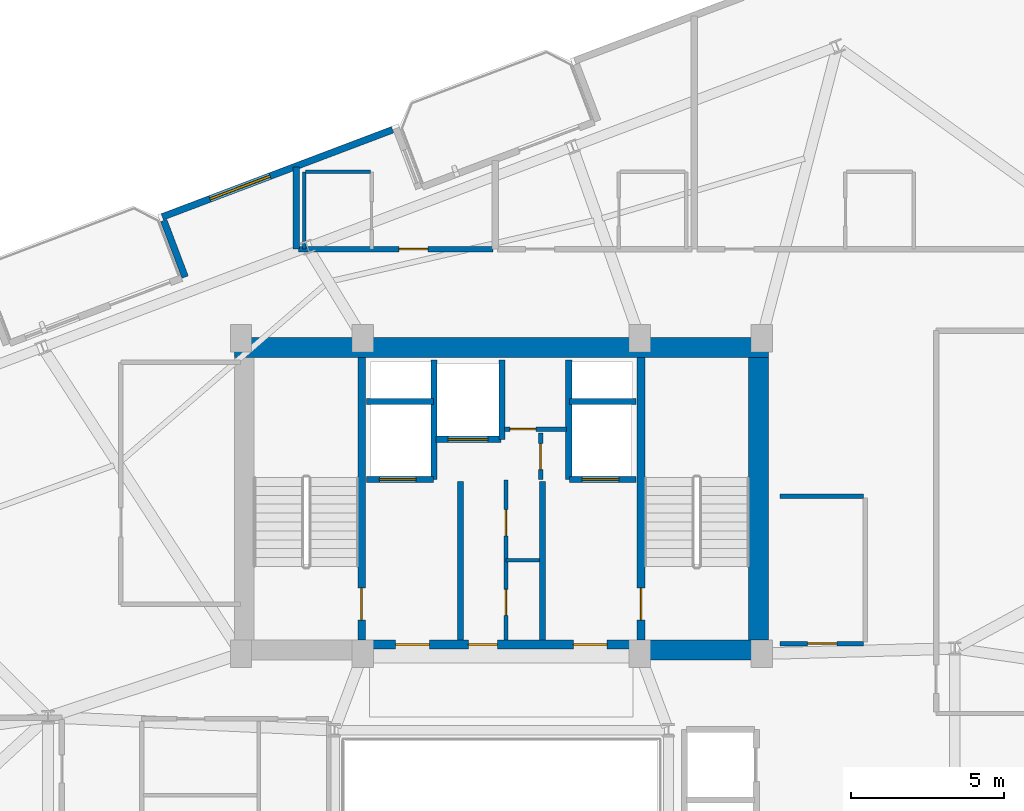
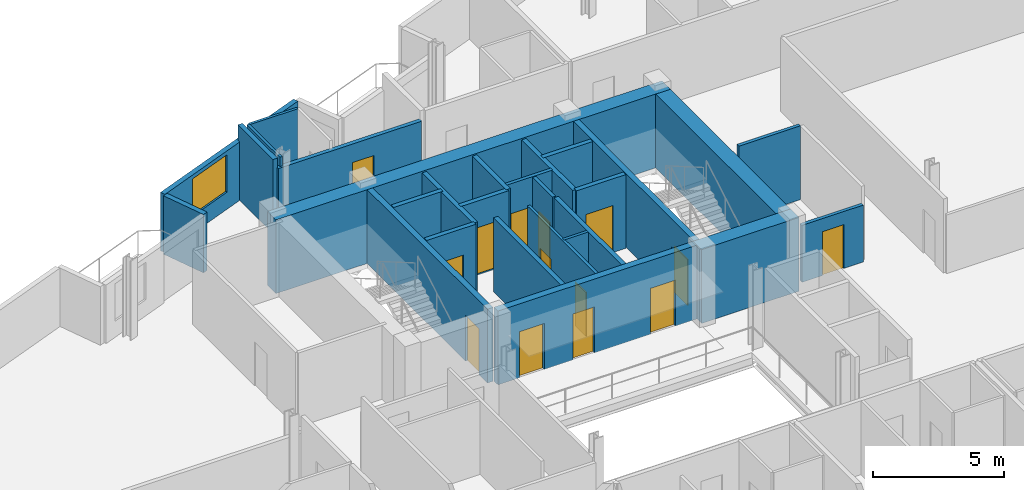
# One storey, part 20 of 24: 28 walls, 14 doors, 1 window, 15 openings.
"""IFC4 building model written with IfcOpenShell, lengths in metres."""

import ifcopenshell
import ifcopenshell.guid

model = None  # the IFC model being written
_history = None  # IfcOwnerHistory: only IFC2X3 demands one
_inside = {}  # id of a spatial element -> (the spatial element, [elements in it])
_under = {}  # id of a project, library or spatial element -> (it, [spatial elements below it])
_declared = {}  # id of a project -> (the project, [libraries it declares])
_typed = {}  # id of a type object -> (the type object, [elements of that type])
_made_of = {}  # id of a material, layer set ... -> (it, [elements and type objects made of it])


def new_model(schema):
    """Start an empty IFC model of exactly this schema.

    Asked for "IFC4X3", IfcOpenShell would pick the latest addendum, in which some entities
    have other attributes; the version numbers below select the first issue.
    IFC2X3 requires an IfcOwnerHistory on every rooted entity: one is made here for all.
    """
    global model, _history
    if schema == "IFC4X3":
        model = ifcopenshell.file(schema_version=(4, 3, 0, 0))
    else:
        model = ifcopenshell.file(schema=schema)
    _inside.clear()
    _under.clear()
    _declared.clear()
    _typed.clear()
    _made_of.clear()
    _history = None
    if model.schema == "IFC2X3":
        org = make("IfcOrganization", Name="unknown")
        user = make(
            "IfcPersonAndOrganization",
            ThePerson=make("IfcPerson", FamilyName="unknown"),
            TheOrganization=org,
        )
        app = make(
            "IfcApplication",
            ApplicationDeveloper=org,
            Version="unknown",
            ApplicationFullName="unknown",
            ApplicationIdentifier="unknown",
        )
        _history = make(
            "IfcOwnerHistory",
            OwningUser=user,
            OwningApplication=app,
            ChangeAction="ADDED",
            CreationDate=0,
        )
    return model


def make(cls, **values):
    """One entity of the class cls with the attributes given. An attribute that is None is left unset."""
    return model.create_entity(
        cls, **{name: value for name, value in values.items() if value is not None}
    )


def rooted(cls, **values):
    """An entity with a GlobalId (a new one), such as an element, a storey or a relation."""
    return make(cls, GlobalId=ifcopenshell.guid.new(), OwnerHistory=_history, **values)


def si_unit(unit_type, name, prefix=None):
    """IfcSIUnit, for example si_unit("LENGTHUNIT", "METRE", prefix="MILLI")."""
    return make("IfcSIUnit", UnitType=unit_type, Prefix=prefix, Name=name)


def assignment(units):
    """IfcUnitAssignment: the units of a project."""
    return None if units is None else make("IfcUnitAssignment", Units=units)


def point(xyz):
    """IfcCartesianPoint."""
    return None if xyz is None else make("IfcCartesianPoint", Coordinates=xyz)


def direction(xyz):
    """IfcDirection."""
    return None if xyz is None else make("IfcDirection", DirectionRatios=xyz)


def frame(location, z_axis=None, x_axis=None):
    """IfcAxis2Placement3D, a coordinate frame: its origin and axes. An axis left out is left unset."""
    return make(
        "IfcAxis2Placement3D",
        Location=point(location),
        Axis=direction(z_axis),
        RefDirection=direction(x_axis),
    )


def frame_2d(location, x_axis=None):
    """IfcAxis2Placement2D, a coordinate frame in the plane: its origin and x axis."""
    return make(
        "IfcAxis2Placement2D", Location=point(location), RefDirection=direction(x_axis)
    )


def origin():
    """The frame at (0, 0, 0) with its axes left unset."""
    return frame((0.0, 0.0, 0.0))


def place(relative_to, where):
    """IfcLocalPlacement: puts the frame where relative to a parent placement (None: the world)."""
    return make(
        "IfcLocalPlacement", PlacementRelTo=relative_to, RelativePlacement=where
    )


def context(
    kind, dimensions, precision=None, world=None, true_north=None, identifier=None
):
    """IfcGeometricRepresentationContext, for example the 3D "Model" context."""
    return make(
        "IfcGeometricRepresentationContext",
        ContextIdentifier=identifier,
        ContextType=kind,
        CoordinateSpaceDimension=dimensions,
        Precision=precision,
        WorldCoordinateSystem=world,
        TrueNorth=true_north,
    )


def subcontext(parent, identifier, kind, view, scale=None):
    """IfcGeometricRepresentationSubContext, for example "Body" below "Model"."""
    return make(
        "IfcGeometricRepresentationSubContext",
        ContextIdentifier=identifier,
        ContextType=kind,
        ParentContext=parent,
        TargetScale=scale,
        TargetView=view,
    )


def project(units=None, contexts=None):
    """IfcProject with its units and contexts."""
    return rooted(
        "IfcProject",
        Name="project",
        RepresentationContexts=contexts,
        UnitsInContext=assignment(units),
    )


def spatial(cls, under=None, at=None, **own):
    """A site, building, storey or space (cls), placed at a placement, below another one or the project."""
    s = rooted(cls, ObjectPlacement=at, **own)
    if under is not None:
        _under.setdefault(under.id(), (under, []))[1].append(s)
    return s


def profile(cls, at=None, kind="AREA", **sizes):
    """A parametric profile (cls). Its sizes go by their IFC names, for example OverallWidth=200.0."""
    return make(cls, ProfileType=kind, Position=at, **sizes)


def rectangle(**sizes):
    """IfcRectangleProfileDef."""
    return profile("IfcRectangleProfileDef", **sizes)


def extrude(swept, where, along, depth):
    """IfcExtrudedAreaSolid: the profile swept, set in the frame where, extruded along a direction by depth."""
    return make(
        "IfcExtrudedAreaSolid",
        SweptArea=swept,
        Position=where,
        ExtrudedDirection=direction(along),
        Depth=depth,
    )


def shape(context_of_items, identifier, shape_type, items):
    """IfcShapeRepresentation: the items that make up one representation, for example the "Body"."""
    return make(
        "IfcShapeRepresentation",
        ContextOfItems=context_of_items,
        RepresentationIdentifier=identifier,
        RepresentationType=shape_type,
        Items=items,
    )


def material(Name=None, Category=None):
    """IfcMaterial."""
    return make("IfcMaterial", Name=Name, Category=Category)


def layer(
    of_material, thickness, ventilated=None, Name=None, Category=None, Priority=None
):
    """IfcMaterialLayer: one layer of a wall or slab, of a material (None: an air gap)."""
    return make(
        "IfcMaterialLayer",
        Material=of_material,
        LayerThickness=thickness,
        IsVentilated=ventilated,
        Name=Name,
        Category=Category,
        Priority=Priority,
    )


def layer_set(layers, Name=None):
    """IfcMaterialLayerSet."""
    return make("IfcMaterialLayerSet", MaterialLayers=layers, LayerSetName=Name)


def made_of(thing, what):
    """Note that an element or type object is made of a material, layer set ...; save() writes the relation."""
    if what is not None:
        _made_of.setdefault(what.id(), (what, []))[1].append(thing)
    return thing


def type_object(cls, material=None, **own):
    """A type object (cls), such as IfcWallType, which elements share."""
    return made_of(rooted(cls, **own), material)


def element(
    cls,
    number,
    at=None,
    inside=None,
    cuts=None,
    type_object=None,
    material=None,
    context=None,
    identifier="Body",
    shape_type=None,
    held_by="IfcProductDefinitionShape",
    body=None,
    shapes=None,
    **own,
):
    """One element of the class cls, such as IfcWall. Its Tag is "e" and its number.

    at: its placement. inside: the storey or other place that contains it. cuts: it is an
    opening in that element (IfcRelVoidsElement). A single representation is given by context,
    identifier, shape_type and body (its items); several are given by shapes. held_by: the class
    of the entity that holds the representations. save() writes the other relations.
    """
    e = rooted(cls, Tag="e%d" % number, ObjectPlacement=at, **own)
    if body is not None:
        shapes = [shape(context, identifier, shape_type, body)]
    if shapes is not None:
        e.Representation = make(held_by, Representations=shapes)
    if inside is not None:
        _inside.setdefault(inside.id(), (inside, []))[1].append(e)
    if cuts is not None:
        rooted(
            "IfcRelVoidsElement", RelatingBuildingElement=cuts, RelatedOpeningElement=e
        )
    if type_object is not None:
        _typed.setdefault(type_object.id(), (type_object, []))[1].append(e)
    return made_of(e, material)


def fill(opening, filler):
    """IfcRelFillsElement: the door or window that sits in an opening."""
    return rooted(
        "IfcRelFillsElement",
        RelatingOpeningElement=opening,
        RelatedBuildingElement=filler,
    )


def aggregate(whole, parts):
    """IfcRelAggregates: a whole, such as a stair, and the parts it consists of."""
    return rooted("IfcRelAggregates", RelatingObject=whole, RelatedObjects=parts)


def save(model, path):
    """Write the relations noted so far, then the file.

    IfcRelAggregates (storeys below a building ...), IfcRelContainedInSpatialStructure (elements
    in a storey), IfcRelDefinesByType, IfcRelAssociatesMaterial and IfcRelDeclares: one each for
    every whole, place, type object, material and project.
    """
    for whole, parts in _under.values():
        aggregate(whole, parts)
    for where, things in _inside.values():
        rooted(
            "IfcRelContainedInSpatialStructure",
            RelatedElements=things,
            RelatingStructure=where,
        )
    for kind, things in _typed.values():
        rooted("IfcRelDefinesByType", RelatedObjects=things, RelatingType=kind)
    for what, things in _made_of.values():
        rooted("IfcRelAssociatesMaterial", RelatedObjects=things, RelatingMaterial=what)
    for by, libraries in _declared.values():
        rooted("IfcRelDeclares", RelatingContext=by, RelatedDefinitions=libraries)
    model.write(path)


model = new_model("IFC4")

# Units and contexts
model_context = context("Model", 3, precision=1e-05, world=origin(), true_north=direction((0.0, 1.0)))
body_context = subcontext(model_context, "Body", "Model", "MODEL_VIEW")
ifc_project = project(units=[si_unit("LENGTHUNIT", "METRE"), si_unit("AREAUNIT", "SQUARE_METRE"), si_unit("VOLUMEUNIT", "CUBIC_METRE"), si_unit("PLANEANGLEUNIT", "RADIAN"), si_unit("MASSUNIT", "GRAM", prefix="KILO")], contexts=[model_context])

# Site, building, storey
site_placement = place(None, origin())
site = spatial("IfcSite", under=ifc_project, at=site_placement, CompositionType="ELEMENT")
building_placement = place(site_placement, origin())
building = spatial("IfcBuilding", under=site, at=building_placement, Name="Varnelok Gate Tower", CompositionType="ELEMENT")
storey_placement = place(building_placement, frame((0.0, 0.0, 242.300048828125)))
storey = spatial("IfcBuildingStorey", under=building, at=storey_placement, Name="L62", CompositionType="ELEMENT", Elevation=242.300048828125)

# Wall, opening, window
ifc_material_1 = material(Name="Concrete C45/55", Category="concrete")
ifc_layer_1 = layer(ifc_material_1, 0.219970703125)
ifc_layer_set_1 = layer_set([ifc_layer_1], Name="Concrete C45/55")
wall_type_1 = type_object("IfcWallType", Name="EW-BALC-220", PredefinedType="SOLIDWALL", material=ifc_layer_set_1)
wall_1_placement = place(storey_placement, frame((35.647705078125, 45.853515625, 0.0), z_axis=(0.0, 0.0, 1.0), x_axis=(-0.935230796934, -0.354038636968, 0.0)))
wall_1 = element("IfcWall", 1, at=wall_1_placement, inside=storey, type_object=wall_type_1, Name="L62 Perimeter Facade Closure Wall 29", PredefinedType="SOLIDWALL", context=body_context, shape_type="SweptSolid", body=[
    extrude(rectangle(XDim=8.03515625, YDim=0.219970703125, at=frame_2d((4.017578125, 0.0))), origin(), (0.0, 0.0, 1.0), 2.72998046875),
])
opening_1_placement = place(wall_1_placement, frame((4.273193359375, 0.0, 0.800048828125)))
opening_1 = element("IfcOpeningElement", 2, at=opening_1_placement, cuts=wall_1, Name="Opening WN4", PredefinedType="OPENING", context=body_context, shape_type="SweptSolid", body=[
    extrude(rectangle(XDim=2.10009765625, YDim=1.75, at=frame_2d((1.050048828125, 0.875))), frame((0.0, 0.119873046875, 0.0), z_axis=(0.0, -1.0, 0.0), x_axis=(1.0, 0.0, 0.0)), (0.0, 0.0, 1.0), 0.239990234375),
])
ifc_material_2 = material(Name="Low-E Laminated Double Glazing IGU", Category="glass")
window_type = type_object("IfcWindowType", Name="WN-SUI-2100", PartitioningType="SINGLE_PANEL", PredefinedType="WINDOW", material=ifc_material_2)
window_placement = place(opening_1_placement, origin())
window = element("IfcWindow", 3, at=window_placement, inside=storey, type_object=window_type, Name="L62 Perimeter Vision Window 29", OverallHeight=1.75, OverallWidth=2.10009765625, PartitioningType="SINGLE_PANEL", PredefinedType="WINDOW", context=body_context, shape_type="SweptSolid", body=[
    extrude(rectangle(XDim=2.10009765625, YDim=1.75, at=frame_2d((1.050048828125, 0.875))), frame((0.0, 0.030029296875, 0.0), z_axis=(0.0, -1.0, 0.0), x_axis=(1.0, 0.0, 0.0)), (0.0, 0.0, 1.0), 0.06005859375),
])
fill(opening_1, window)

# Wall
wall_2_placement = place(storey_placement, frame((28.177490234375, 42.891845703125, 0.0), z_axis=(0.0, 0.0, 1.0), x_axis=(0.354061611705, -0.935222099352, 0.0)))
element("IfcWall", 4, at=wall_2_placement, inside=storey, type_object=wall_type_1, Name="L62 Perimeter Facade Closure Wall 30", PredefinedType="SOLIDWALL", context=body_context, shape_type="SweptSolid", body=[
    extrude(rectangle(XDim=1.974853515625, YDim=0.219970703125, at=frame_2d((0.9873046875, 0.0))), origin(), (0.0, 0.0, 1.0), 2.72998046875),
])

# Wall, opening, door
ifc_material_3 = material(Name="Gypsum Plasterboard Acoustic Partition", Category="gypsum")
ifc_layer_2 = layer(ifc_material_3, 0.179931640625)
ifc_layer_set_2 = layer_set([ifc_layer_2], Name="Gypsum Plasterboard Acoustic Partition")
wall_type_2 = type_object("IfcWallType", Name="PW-CORR-180", PredefinedType="PARTITIONING", material=ifc_layer_set_2)
wall_3_placement = place(storey_placement, frame((32.580078125, 41.9599609375, 0.0), z_axis=(0.0, 0.0, 1.0), x_axis=(1.0, 0.0, 0.0)))
wall_3 = element("IfcWall", 5, at=wall_3_placement, inside=storey, type_object=wall_type_2, Name="Interior Partition", PredefinedType="PARTITIONING", context=body_context, shape_type="SweptSolid", body=[
    extrude(rectangle(XDim=6.33984375, YDim=0.179931640625, at=frame_2d((3.169921875, 0.0))), origin(), (0.0, 0.0, 1.0), 3.01806640625),
])
opening_2_placement = place(wall_3_placement, frame((3.273681640625, 0.0, 0.0)))
opening_2 = element("IfcOpeningElement", 6, at=opening_2_placement, cuts=wall_3, Name="Opening D-HT", PredefinedType="OPENING", context=body_context, shape_type="SweptSolid", body=[
    extrude(rectangle(XDim=0.949951171875, YDim=2.14990234375, at=frame_2d((0.47509765625, 1.074951171875))), frame((0.0, 0.099853515625, 0.0), z_axis=(0.0, -1.0, 0.0), x_axis=(1.0, 0.0, 0.0)), (0.0, 0.0, 1.0), 0.199951171875),
])
ifc_material_4 = material(Name="Engineered Hardwood Timber", Category="wood")
door_type_1 = type_object("IfcDoorType", Name="DR-HTL-950", OperationType="NOTDEFINED", PredefinedType="DOOR", material=ifc_material_4)
door_1_placement = place(opening_2_placement, origin())
door_1 = element("IfcDoor", 7, at=door_1_placement, inside=storey, type_object=door_type_1, Name="L62 Guest Room 08 Entrance Door", OperationType="SINGLE_SWING_LEFT", OverallHeight=2.14990234375, OverallWidth=0.949951171875, PredefinedType="DOOR", context=body_context, shape_type="SweptSolid", body=[
    extrude(rectangle(XDim=0.949951171875, YDim=2.14990234375, at=frame_2d((0.47509765625, 1.074951171875))), frame((0.0, 0.02490234375, 0.0), z_axis=(0.0, -1.0, 0.0), x_axis=(1.0, 0.0, 0.0)), (0.0, 0.0, 1.0), 0.050048828125),
])
fill(opening_2, door_1)

# Walls
ifc_layer_3 = layer(ifc_material_3, 0.114990234375)
ifc_layer_set_3 = layer_set([ifc_layer_3], Name="Gypsum Plasterboard Acoustic Partition")
wall_type_3 = type_object("IfcWallType", Name="PW-ENS-125", PredefinedType="PARTITIONING", material=ifc_layer_set_3)
wall_4_placement = place(storey_placement, frame((32.800048828125, 44.47998046875, 0.0), z_axis=(0.0, 0.0, 1.0), x_axis=(1.0, 0.0, 0.0)))
element("IfcWall", 8, at=wall_4_placement, inside=storey, type_object=wall_type_3, Name="Interior Partition", PredefinedType="PARTITIONING", context=body_context, shape_type="SweptSolid", body=[
    extrude(rectangle(XDim=2.1240234375, YDim=0.114990234375, at=frame_2d((1.06201171875, 0.0))), origin(), (0.0, 0.0, 1.0), 3.449951171875),
])
wall_5_placement = place(storey_placement, frame((32.760009765625, 41.9599609375, 0.0), z_axis=(0.0, 0.0, 1.0), x_axis=(0.0, 1.0, 0.0)))
element("IfcWall", 9, at=wall_5_placement, inside=storey, type_object=wall_type_3, Name="Interior Partition", PredefinedType="PARTITIONING", context=body_context, shape_type="SweptSolid", body=[
    extrude(rectangle(XDim=2.52001953125, YDim=0.114990234375, at=frame_2d((1.260009765625, 0.0))), origin(), (0.0, 0.0, 1.0), 3.449951171875),
])
ifc_layer_4 = layer(ifc_material_3, 0.125)
ifc_layer_set_4 = layer_set([ifc_layer_4], Name="Gypsum Plasterboard Acoustic Partition")
wall_type_4 = type_object("IfcWallType", Name="PW-PART-125", PredefinedType="PARTITIONING", material=ifc_layer_set_4)
wall_6_placement = place(storey_placement, frame((39.35009765625, 31.800048828125, 0.0), z_axis=(0.0, 0.0, 1.0), x_axis=(1.0, 0.0, 0.0)))
element("IfcWall", 10, at=wall_6_placement, inside=storey, type_object=wall_type_4, Name="Interior Partition", PredefinedType="PARTITIONING", context=body_context, shape_type="SweptSolid", body=[
    extrude(rectangle(XDim=1.08984375, YDim=0.125, at=frame_2d((0.544921875, 0.0))), origin(), (0.0, 0.0, 1.0), 3.449951171875),
])

# Wall, openings, doors
wall_7_placement = place(storey_placement, frame((39.35009765625, 29.199951171875, 0.0), z_axis=(0.0, 0.0, 1.0), x_axis=(0.0, 1.0, 0.0)))
wall_7 = element("IfcWall", 11, at=wall_7_placement, inside=storey, type_object=wall_type_4, Name="Interior Partition", PredefinedType="PARTITIONING", context=body_context, shape_type="SweptSolid", body=[
    extrude(rectangle(XDim=5.219970703125, YDim=0.125, at=frame_2d((2.60986328125, 0.0))), origin(), (0.0, 0.0, 1.0), 3.449951171875),
])
opening_3_placement = place(wall_7_placement, frame((0.800048828125, 0.0, 0.0)))
opening_3 = element("IfcOpeningElement", 12, at=opening_3_placement, cuts=wall_7, Name="Opening D-RS", PredefinedType="OPENING", context=body_context, shape_type="SweptSolid", body=[
    extrude(rectangle(XDim=0.85009765625, YDim=2.050048828125, at=frame_2d((0.425048828125, 1.02490234375))), frame((0.0, 0.072509765625, 0.0), z_axis=(0.0, -1.0, 0.0), x_axis=(1.0, 0.0, 0.0)), (0.0, 0.0, 1.0), 0.14501953125),
])
opening_4_placement = place(wall_7_placement, frame((3.39990234375, 0.0, 0.0)))
opening_4 = element("IfcOpeningElement", 13, at=opening_4_placement, cuts=wall_7, Name="Opening D-RS", PredefinedType="OPENING", context=body_context, shape_type="SweptSolid", body=[
    extrude(rectangle(XDim=0.85009765625, YDim=2.050048828125, at=frame_2d((0.425048828125, 1.02490234375))), frame((0.0, 0.072509765625, 0.0), z_axis=(0.0, -1.0, 0.0), x_axis=(1.0, 0.0, 0.0)), (0.0, 0.0, 1.0), 0.14501953125),
])
ifc_material_5 = material(Name="Galvanized Steel Grade S350GD", Category="steel")
door_type_2 = type_object("IfcDoorType", Name="DR-RISER-850", OperationType="NOTDEFINED", PredefinedType="DOOR", material=ifc_material_5)
door_2_placement = place(opening_3_placement, origin())
door_2 = element("IfcDoor", 14, at=door_2_placement, inside=storey, type_object=door_type_2, Name="L62 Housekeeping Linen Door", OperationType="SINGLE_SWING_RIGHT", OverallHeight=2.050048828125, OverallWidth=0.85009765625, PredefinedType="DOOR", context=body_context, shape_type="SweptSolid", body=[
    extrude(rectangle(XDim=0.85009765625, YDim=2.050048828125, at=frame_2d((0.425048828125, 1.02490234375))), frame((0.0, 0.02490234375, 0.0), z_axis=(0.0, -1.0, 0.0), x_axis=(1.0, 0.0, 0.0)), (0.0, 0.0, 1.0), 0.050048828125),
])
fill(opening_3, door_2)
door_3_placement = place(opening_4_placement, origin())
door_3 = element("IfcDoor", 15, at=door_3_placement, inside=storey, type_object=door_type_2, Name="L62 Core Supply Door", OperationType="SINGLE_SWING_LEFT", OverallHeight=2.050048828125, OverallWidth=0.85009765625, PredefinedType="DOOR", context=body_context, shape_type="SweptSolid", body=[
    extrude(rectangle(XDim=0.85009765625, YDim=2.050048828125, at=frame_2d((0.425048828125, 1.02490234375))), frame((0.0, 0.02490234375, 0.0), z_axis=(0.0, -1.0, 0.0), x_axis=(1.0, 0.0, 0.0)), (0.0, 0.0, 1.0), 0.050048828125),
])
fill(opening_4, door_3)

# Wall, opening, door
ifc_layer_5 = layer(ifc_material_3, 0.14990234375)
ifc_layer_set_5 = layer_set([ifc_layer_5], Name="Gypsum Plasterboard Acoustic Partition")
wall_type_5 = type_object("IfcWallType", Name="PW-PART-150", PredefinedType="PARTITIONING", material=ifc_layer_set_5)
wall_8_placement = place(storey_placement, frame((39.300048828125, 36.080078125, 0.0), z_axis=(0.0, 0.0, 1.0), x_axis=(1.0, 0.0, 0.0)))
wall_8 = element("IfcWall", 16, at=wall_8_placement, inside=storey, type_object=wall_type_5, Name="L62 Electrical Closet South Wall", PredefinedType="PARTITIONING", context=body_context, shape_type="SweptSolid", body=[
    extrude(rectangle(XDim=2.02001953125, YDim=0.14990234375, at=frame_2d((1.010009765625, 0.0))), origin(), (0.0, 0.0, 1.0), 3.449951171875),
])
opening_5_placement = place(wall_8_placement, frame((0.179931640625, 0.0, 0.0)))
opening_5 = element("IfcOpeningElement", 17, at=opening_5_placement, cuts=wall_8, Name="Opening D-RS", PredefinedType="OPENING", context=body_context, shape_type="SweptSolid", body=[
    extrude(rectangle(XDim=0.85009765625, YDim=2.050048828125, at=frame_2d((0.425048828125, 1.02490234375))), frame((0.0, 0.0849609375, 0.0), z_axis=(0.0, -1.0, 0.0), x_axis=(1.0, 0.0, 0.0)), (0.0, 0.0, 1.0), 0.169921875),
])
door_4_placement = place(opening_5_placement, origin())
door_4 = element("IfcDoor", 18, at=door_4_placement, inside=storey, type_object=door_type_2, Name="L62 Electrical Closet Door", OperationType="SINGLE_SWING_RIGHT", OverallHeight=2.050048828125, OverallWidth=0.85009765625, PredefinedType="DOOR", context=body_context, shape_type="SweptSolid", body=[
    extrude(rectangle(XDim=0.85009765625, YDim=2.050048828125, at=frame_2d((0.425048828125, 1.02490234375))), frame((0.0, 0.02490234375, 0.0), z_axis=(0.0, -1.0, 0.0), x_axis=(1.0, 0.0, 0.0)), (0.0, 0.0, 1.0), 0.050048828125),
])
fill(opening_5, door_4)

wall_9_placement = place(storey_placement, frame((40.47998046875, 34.43994140625, 0.0), z_axis=(0.0, 0.0, 1.0), x_axis=(0.0, 1.0, 0.0)))
wall_9 = element("IfcWall", 19, at=wall_9_placement, inside=storey, type_object=wall_type_5, Name="L62 Telecoms Closet West Wall", PredefinedType="PARTITIONING", context=body_context, shape_type="SweptSolid", body=[
    extrude(rectangle(XDim=1.52001953125, YDim=0.14990234375, at=frame_2d((0.760009765625, 0.0))), origin(), (0.0, 0.0, 1.0), 3.449951171875),
])
opening_6_placement = place(wall_9_placement, frame((0.320068359375, 0.0, 0.0)))
opening_6 = element("IfcOpeningElement", 20, at=opening_6_placement, cuts=wall_9, Name="Opening D-RS", PredefinedType="OPENING", context=body_context, shape_type="SweptSolid", body=[
    extrude(rectangle(XDim=0.85009765625, YDim=2.050048828125, at=frame_2d((0.425048828125, 1.02490234375))), frame((0.0, 0.0849609375, 0.0), z_axis=(0.0, -1.0, 0.0), x_axis=(1.0, 0.0, 0.0)), (0.0, 0.0, 1.0), 0.169921875),
])
door_5_placement = place(opening_6_placement, origin())
door_5 = element("IfcDoor", 21, at=door_5_placement, inside=storey, type_object=door_type_2, Name="L62 Telecoms Closet Door", OperationType="SINGLE_SWING_LEFT", OverallHeight=2.050048828125, OverallWidth=0.85009765625, PredefinedType="DOOR", context=body_context, shape_type="SweptSolid", body=[
    extrude(rectangle(XDim=0.85009765625, YDim=2.050048828125, at=frame_2d((0.425048828125, 1.02490234375))), frame((0.0, 0.02490234375, 0.0), z_axis=(0.0, -1.0, 0.0), x_axis=(1.0, 0.0, 0.0)), (0.0, 0.0, 1.0), 0.050048828125),
])
fill(opening_6, door_5)

wall_10_placement = place(storey_placement, frame((48.300048828125, 29.080078125, 0.0), z_axis=(0.0, 0.0, 1.0), x_axis=(1.0, 0.0, 0.0)))
wall_10 = element("IfcWall", 22, at=wall_10_placement, inside=storey, type_object=wall_type_5, Name="Interior Partition", PredefinedType="PARTITIONING", context=body_context, shape_type="SweptSolid", body=[
    extrude(rectangle(XDim=2.719970703125, YDim=0.14990234375, at=frame_2d((1.35986328125, 0.0))), origin(), (0.0, 0.0, 1.0), 2.661865234375),
])
opening_7_placement = place(wall_10_placement, frame((0.89990234375, 0.0, 0.0)))
opening_7 = element("IfcOpeningElement", 23, at=opening_7_placement, cuts=wall_10, Name="Opening D-I2", PredefinedType="OPENING", context=body_context, shape_type="SweptSolid", body=[
    extrude(rectangle(XDim=0.949951171875, YDim=2.050048828125, at=frame_2d((0.47509765625, 1.02490234375))), frame((0.0, 0.0849609375, 0.0), z_axis=(0.0, -1.0, 0.0), x_axis=(1.0, 0.0, 0.0)), (0.0, 0.0, 1.0), 0.169921875),
])
door_type_3 = type_object("IfcDoorType", Name="DR-INT-950", OperationType="NOTDEFINED", PredefinedType="DOOR", material=ifc_material_4)
door_6_placement = place(opening_7_placement, origin())
door_6 = element("IfcDoor", 24, at=door_6_placement, inside=storey, type_object=door_type_3, Name="L62 Reclaimed Trunk Store Door", OperationType="SINGLE_SWING_LEFT", OverallHeight=2.050048828125, OverallWidth=0.949951171875, PredefinedType="DOOR", context=body_context, shape_type="SweptSolid", body=[
    extrude(rectangle(XDim=0.949951171875, YDim=2.050048828125, at=frame_2d((0.47509765625, 1.02490234375))), frame((0.0, 0.02490234375, 0.0), z_axis=(0.0, -1.0, 0.0), x_axis=(1.0, 0.0, 0.0)), (0.0, 0.0, 1.0), 0.050048828125),
])
fill(opening_7, door_6)

# Walls
wall_11_placement = place(storey_placement, frame((48.300048828125, 33.889892578125, 0.0), z_axis=(0.0, 0.0, 1.0), x_axis=(1.0, 0.0, 0.0)))
element("IfcWall", 25, at=wall_11_placement, inside=storey, type_object=wall_type_5, Name="Interior Partition", PredefinedType="PARTITIONING", context=body_context, shape_type="SweptSolid", body=[
    extrude(rectangle(XDim=2.719970703125, YDim=0.14990234375, at=frame_2d((1.35986328125, 0.0))), origin(), (0.0, 0.0, 1.0), 3.449951171875),
])
ifc_layer_6 = layer(ifc_material_3, 0.205078125)
ifc_layer_set_6 = layer_set([ifc_layer_6], Name="Gypsum Plasterboard Acoustic Partition")
wall_type_6 = type_object("IfcWallType", Name="PW-PARTY-200", PredefinedType="PARTITIONING", material=ifc_layer_set_6)
wall_12_placement = place(storey_placement, frame((32.5, 41.9599609375, 0.0), z_axis=(0.0, 0.0, 1.0), x_axis=(0.0, 1.0, 0.0)))
element("IfcWall", 26, at=wall_12_placement, inside=storey, type_object=wall_type_6, Name="L62 North Party Wall 1", PredefinedType="PARTITIONING", context=body_context, shape_type="SweptSolid", body=[
    extrude(rectangle(XDim=2.6806640625, YDim=0.205078125, at=frame_2d((1.34033203125, 0.0))), origin(), (0.0, 0.0, 1.0), 3.449951171875),
])
ifc_material_6 = material(Name="Concrete C35/45", Category="concrete")
ifc_layer_7 = layer(ifc_material_6, 0.199951171875)
ifc_layer_set_7 = layer_set([ifc_layer_7], Name="Concrete C35/45")
wall_type_7 = type_object("IfcWallType", Name="PW-SHAFT-200", PredefinedType="PARTITIONING", material=ifc_layer_set_7)
for number, where, z_axis, x_axis, name in (
    (27, (37.860107421875, 29.199951171875, 0.0), (0.0, 0.0, 1.0), (0.0, 1.0, 0.0), "L62 West FF Lobby Rated Wall"),
    (28, (40.5400390625, 29.199951171875, 0.0), (0.0, 0.0, 1.0), (0.0, 1.0, 0.0), "L62 East FF Lobby Rated Wall"),
):
    element("IfcWall", number, at=place(storey_placement, frame(where, z_axis=z_axis, x_axis=x_axis)), inside=storey, type_object=wall_type_7, Name=name, PredefinedType="PARTITIONING", context=body_context, shape_type="SweptSolid", body=[
        extrude(rectangle(XDim=5.179931640625, YDim=0.199951171875, at=frame_2d((2.58984375, 0.0))), origin(), (0.0, 0.0, 1.0), 3.449951171875),
    ])

# Wall, opening, door
wall_13_placement = place(storey_placement, frame((34.800048828125, 34.43994140625, 0.0), z_axis=(0.0, 0.0, 1.0), x_axis=(1.0, 0.0, 0.0)))
wall_13 = element("IfcWall", 29, at=wall_13_placement, inside=storey, type_object=wall_type_7, Name="L62 FF1 Shaft Front Wall", PredefinedType="PARTITIONING", context=body_context, shape_type="SweptSolid", body=[
    extrude(rectangle(XDim=2.179931640625, YDim=0.199951171875, at=frame_2d((1.08984375, 0.0))), origin(), (0.0, 0.0, 1.0), 3.449951171875),
])
opening_8_placement = place(wall_13_placement, frame((0.419921875, 0.0, 0.0)))
opening_8 = element("IfcOpeningElement", 30, at=opening_8_placement, cuts=wall_13, Name="Opening LD-FF1", PredefinedType="OPENING", context=body_context, shape_type="SweptSolid", body=[
    extrude(rectangle(XDim=1.199951171875, YDim=2.199951171875, at=frame_2d((0.60009765625, 1.10009765625))), frame((0.0, 0.10986328125, 0.0), z_axis=(0.0, -1.0, 0.0), x_axis=(1.0, 0.0, 0.0)), (0.0, 0.0, 1.0), 0.219970703125),
])
door_type_4 = type_object("IfcDoorType", Name="DR-LIFT-FF1200", OperationType="SLIDING_TO_LEFT", PredefinedType="DOOR", material=ifc_material_5)
door_7_placement = place(opening_8_placement, origin())
door_7 = element("IfcDoor", 31, at=door_7_placement, inside=storey, type_object=door_type_4, Name="L62 Firefighting Lift Landing Door LD-FF1", OperationType="SLIDING_TO_LEFT", OverallHeight=2.199951171875, OverallWidth=1.199951171875, PredefinedType="DOOR", context=body_context, shape_type="SweptSolid", body=[
    extrude(rectangle(XDim=1.199951171875, YDim=2.199951171875, at=frame_2d((0.60009765625, 1.10009765625))), frame((0.0, 0.02490234375, 0.0), z_axis=(0.0, -1.0, 0.0), x_axis=(1.0, 0.0, 0.0)), (0.0, 0.0, 1.0), 0.050048828125),
])
fill(opening_8, door_7)

# Walls
wall_14_placement = place(storey_placement, frame((34.800048828125, 36.97998046875, 0.0), z_axis=(0.0, 0.0, 1.0), x_axis=(1.0, 0.0, 0.0)))
element("IfcWall", 32, at=wall_14_placement, inside=storey, type_object=wall_type_7, Name="L62 FF1 Shaft North Wall", PredefinedType="PARTITIONING", context=body_context, shape_type="SweptSolid", body=[
    extrude(rectangle(XDim=2.179931640625, YDim=0.199951171875, at=frame_2d((1.08984375, 0.0))), origin(), (0.0, 0.0, 1.0), 3.449951171875),
])
wall_15_placement = place(storey_placement, frame((37.0, 34.43994140625, 0.0), z_axis=(0.0, 0.0, 1.0), x_axis=(0.0, 1.0, 0.0)))
element("IfcWall", 33, at=wall_15_placement, inside=storey, type_object=wall_type_7, Name="L62 FF1 Shaft Side Wall", PredefinedType="PARTITIONING", context=body_context, shape_type="SweptSolid", body=[
    extrude(rectangle(XDim=3.900146484375, YDim=0.199951171875, at=frame_2d((1.9501953125, 0.0))), origin(), (0.0, 0.0, 1.0), 3.449951171875),
])

# Wall, opening, door
wall_16_placement = place(storey_placement, frame((41.419921875, 34.43994140625, 0.0), z_axis=(0.0, 0.0, 1.0), x_axis=(1.0, 0.0, 0.0)))
wall_16 = element("IfcWall", 34, at=wall_16_placement, inside=storey, type_object=wall_type_7, Name="L62 FF2 Shaft Front Wall", PredefinedType="PARTITIONING", context=body_context, shape_type="SweptSolid", body=[
    extrude(rectangle(XDim=2.18017578125, YDim=0.199951171875, at=frame_2d((1.090087890625, 0.0))), origin(), (0.0, 0.0, 1.0), 3.449951171875),
])
opening_9_placement = place(wall_16_placement, frame((0.419921875, 0.0, 0.0)))
opening_9 = element("IfcOpeningElement", 35, at=opening_9_placement, cuts=wall_16, Name="Opening LD-FF2", PredefinedType="OPENING", context=body_context, shape_type="SweptSolid", body=[
    extrude(rectangle(XDim=1.199951171875, YDim=2.199951171875, at=frame_2d((0.60009765625, 1.10009765625))), frame((0.0, 0.10986328125, 0.0), z_axis=(0.0, -1.0, 0.0), x_axis=(1.0, 0.0, 0.0)), (0.0, 0.0, 1.0), 0.219970703125),
])
door_8_placement = place(opening_9_placement, origin())
door_8 = element("IfcDoor", 36, at=door_8_placement, inside=storey, type_object=door_type_4, Name="L62 Firefighting Lift Landing Door LD-FF2", OperationType="SLIDING_TO_LEFT", OverallHeight=2.199951171875, OverallWidth=1.199951171875, PredefinedType="DOOR", context=body_context, shape_type="SweptSolid", body=[
    extrude(rectangle(XDim=1.199951171875, YDim=2.199951171875, at=frame_2d((0.60009765625, 1.10009765625))), frame((0.0, 0.02490234375, 0.0), z_axis=(0.0, -1.0, 0.0), x_axis=(1.0, 0.0, 0.0)), (0.0, 0.0, 1.0), 0.050048828125),
])
fill(opening_9, door_8)

# Walls
wall_17_placement = place(storey_placement, frame((41.419921875, 36.97998046875, 0.0), z_axis=(0.0, 0.0, 1.0), x_axis=(1.0, 0.0, 0.0)))
element("IfcWall", 37, at=wall_17_placement, inside=storey, type_object=wall_type_7, Name="L62 FF2 Shaft North Wall", PredefinedType="PARTITIONING", context=body_context, shape_type="SweptSolid", body=[
    extrude(rectangle(XDim=2.18017578125, YDim=0.199951171875, at=frame_2d((1.090087890625, 0.0))), origin(), (0.0, 0.0, 1.0), 3.449951171875),
])
wall_18_placement = place(storey_placement, frame((41.39990234375, 34.43994140625, 0.0), z_axis=(0.0, 0.0, 1.0), x_axis=(0.0, 1.0, 0.0)))
element("IfcWall", 38, at=wall_18_placement, inside=storey, type_object=wall_type_7, Name="L62 FF2 Shaft Side Wall", PredefinedType="PARTITIONING", context=body_context, shape_type="SweptSolid", body=[
    extrude(rectangle(XDim=3.900146484375, YDim=0.199951171875, at=frame_2d((1.9501953125, 0.0))), origin(), (0.0, 0.0, 1.0), 3.449951171875),
])

# Wall, opening, door
wall_19_placement = place(storey_placement, frame((37.06005859375, 35.75, 0.0), z_axis=(0.0, 0.0, 1.0), x_axis=(1.0, 0.0, 0.0)))
wall_19 = element("IfcWall", 39, at=wall_19_placement, inside=storey, type_object=wall_type_7, Name="L62 SV1 Shaft Front Wall", PredefinedType="PARTITIONING", context=body_context, shape_type="SweptSolid", body=[
    extrude(rectangle(XDim=2.119873046875, YDim=0.199951171875, at=frame_2d((1.06005859375, 0.0))), origin(), (0.0, 0.0, 1.0), 3.449951171875),
])
opening_10_placement = place(wall_19_placement, frame((0.39990234375, 0.0, 0.0)))
opening_10 = element("IfcOpeningElement", 40, at=opening_10_placement, cuts=wall_19, Name="Opening LD-SV1", PredefinedType="OPENING", context=body_context, shape_type="SweptSolid", body=[
    extrude(rectangle(XDim=1.300048828125, YDim=2.199951171875, at=frame_2d((0.64990234375, 1.10009765625))), frame((0.0, 0.10986328125, 0.0), z_axis=(0.0, -1.0, 0.0), x_axis=(1.0, 0.0, 0.0)), (0.0, 0.0, 1.0), 0.219970703125),
])
door_type_5 = type_object("IfcDoorType", Name="DR-LIFT-SV1300", OperationType="SLIDING_TO_LEFT", PredefinedType="DOOR", material=ifc_material_5)
door_9_placement = place(opening_10_placement, origin())
door_9 = element("IfcDoor", 41, at=door_9_placement, inside=storey, type_object=door_type_5, Name="L62 Service Lift Landing Door LD-SV1", OperationType="SLIDING_TO_LEFT", OverallHeight=2.199951171875, OverallWidth=1.300048828125, PredefinedType="DOOR", context=body_context, shape_type="SweptSolid", body=[
    extrude(rectangle(XDim=1.300048828125, YDim=2.199951171875, at=frame_2d((0.64990234375, 1.10009765625))), frame((0.0, 0.02490234375, 0.0), z_axis=(0.0, -1.0, 0.0), x_axis=(1.0, 0.0, 0.0)), (0.0, 0.0, 1.0), 0.050048828125),
])
fill(opening_10, door_9)

# Walls
wall_20_placement = place(storey_placement, frame((39.219970703125, 35.75, 0.0), z_axis=(0.0, 0.0, 1.0), x_axis=(0.0, 1.0, 0.0)))
element("IfcWall", 42, at=wall_20_placement, inside=storey, type_object=wall_type_7, Name="L62 SV1 Shaft East Wall", PredefinedType="PARTITIONING", context=body_context, shape_type="SweptSolid", body=[
    extrude(rectangle(XDim=2.590087890625, YDim=0.199951171875, at=frame_2d((1.294921875, 0.0))), origin(), (0.0, 0.0, 1.0), 3.449951171875),
])
ifc_material_7 = material(Name="Concrete C60/75", Category="concrete")
ifc_layer_8 = layer(ifc_material_7, 0.64990234375)
ifc_layer_set_8 = layer_set([ifc_layer_8], Name="Concrete C60/75")
wall_type_8 = type_object("IfcWallType", Name="SW-CORE-650", PredefinedType="SHEAR", material=ifc_layer_set_8)
wall_21_placement = place(storey_placement, frame((30.47998046875, 38.7451171875, 0.0), z_axis=(0.0, 0.0, 1.0), x_axis=(1.0, 0.0, 0.0)))
element("IfcWall", 43, at=wall_21_placement, inside=storey, type_object=wall_type_8, Name="L62 Rear Core North Shear Wall", PredefinedType="SHEAR", context=body_context, shape_type="SweptSolid", body=[
    extrude(rectangle(XDim=17.43994140625, YDim=0.64990234375, at=frame_2d((8.719970703125, 0.0))), origin(), (0.0, 0.0, 1.0), 3.449951171875),
])
wall_22_placement = place(storey_placement, frame((47.594970703125, 29.199951171875, 0.0), z_axis=(0.0, 0.0, 1.0), x_axis=(0.0, 1.0, 0.0)))
element("IfcWall", 44, at=wall_22_placement, inside=storey, type_object=wall_type_8, Name="L62 Rear Core East Shear Wall", PredefinedType="SHEAR", context=body_context, shape_type="SweptSolid", body=[
    extrude(rectangle(XDim=9.219970703125, YDim=0.64990234375, at=frame_2d((4.60986328125, 0.0))), origin(), (0.0, 0.0, 1.0), 3.449951171875),
])
wall_23_placement = place(storey_placement, frame((43.60009765625, 28.875, 0.0), z_axis=(0.0, 0.0, 1.0), x_axis=(1.0, 0.0, 0.0)))
element("IfcWall", 45, at=wall_23_placement, inside=storey, type_object=wall_type_8, Name="L62 Rear Core South-East Shear Wall", PredefinedType="SHEAR", context=body_context, shape_type="SweptSolid", body=[
    extrude(rectangle(XDim=4.31982421875, YDim=0.64990234375, at=frame_2d((2.159912109375, 0.0))), origin(), (0.0, 0.0, 1.0), 3.449951171875),
])

# Wall, opening, door
ifc_layer_9 = layer(ifc_material_7, 0.25)
ifc_layer_set_9 = layer_set([ifc_layer_9], Name="Concrete C60/75")
wall_type_9 = type_object("IfcWallType", Name="SW-SHAFT-250", PredefinedType="SHEAR", material=ifc_layer_set_9)
wall_24_placement = place(storey_placement, frame((34.639892578125, 29.199951171875, 0.0), z_axis=(0.0, 0.0, 1.0), x_axis=(0.0, 1.0, 0.0)))
wall_24 = element("IfcWall", 46, at=wall_24_placement, inside=storey, type_object=wall_type_9, Name="L62 Stair ST-1 East Shear Wall", PredefinedType="SHEAR", context=body_context, shape_type="SweptSolid", body=[
    extrude(rectangle(XDim=9.219970703125, YDim=0.25, at=frame_2d((4.60986328125, 0.0))), origin(), (0.0, 0.0, 1.0), 3.449951171875),
])
opening_11_placement = place(wall_24_placement, frame((0.64990234375, 0.0, 0.0)))
opening_11 = element("IfcOpeningElement", 47, at=opening_11_placement, cuts=wall_24, Name="Opening D-ST", PredefinedType="OPENING", context=body_context, shape_type="SweptSolid", body=[
    extrude(rectangle(XDim=1.050048828125, YDim=2.14990234375, at=frame_2d((0.52490234375, 1.074951171875))), frame((0.0, 0.135009765625, 0.0), z_axis=(0.0, -1.0, 0.0), x_axis=(1.0, 0.0, 0.0)), (0.0, 0.0, 1.0), 0.27001953125),
])
door_type_6 = type_object("IfcDoorType", Name="DR-STAIR-1050", OperationType="NOTDEFINED", PredefinedType="DOOR", material=ifc_material_5)
door_10_placement = place(opening_11_placement, origin())
door_10 = element("IfcDoor", 48, at=door_10_placement, inside=storey, type_object=door_type_6, Name="L62 Exit Stair ST-1 Fire Door", OperationType="SINGLE_SWING_LEFT", OverallHeight=2.14990234375, OverallWidth=1.050048828125, PredefinedType="DOOR", context=body_context, shape_type="SweptSolid", body=[
    extrude(rectangle(XDim=1.050048828125, YDim=2.14990234375, at=frame_2d((0.52490234375, 1.074951171875))), frame((0.0, 0.02490234375, 0.0), z_axis=(0.0, -1.0, 0.0), x_axis=(1.0, 0.0, 0.0)), (0.0, 0.0, 1.0), 0.050048828125),
])
fill(opening_11, door_10)

wall_25_placement = place(storey_placement, frame((43.760009765625, 29.199951171875, 0.0), z_axis=(0.0, 0.0, 1.0), x_axis=(0.0, 1.0, 0.0)))
wall_25 = element("IfcWall", 49, at=wall_25_placement, inside=storey, type_object=wall_type_9, Name="L62 Stair ST-2 West Shear Wall", PredefinedType="SHEAR", context=body_context, shape_type="SweptSolid", body=[
    extrude(rectangle(XDim=9.219970703125, YDim=0.25, at=frame_2d((4.60986328125, 0.0))), origin(), (0.0, 0.0, 1.0), 3.449951171875),
])
opening_12_placement = place(wall_25_placement, frame((0.64990234375, 0.0, 0.0)))
opening_12 = element("IfcOpeningElement", 50, at=opening_12_placement, cuts=wall_25, Name="Opening D-ST", PredefinedType="OPENING", context=body_context, shape_type="SweptSolid", body=[
    extrude(rectangle(XDim=1.050048828125, YDim=2.14990234375, at=frame_2d((0.52490234375, 1.074951171875))), frame((0.0, 0.135009765625, 0.0), z_axis=(0.0, -1.0, 0.0), x_axis=(1.0, 0.0, 0.0)), (0.0, 0.0, 1.0), 0.27001953125),
])
door_11_placement = place(opening_12_placement, origin())
door_11 = element("IfcDoor", 51, at=door_11_placement, inside=storey, type_object=door_type_6, Name="L62 Exit Stair ST-2 Fire Door", OperationType="SINGLE_SWING_RIGHT", OverallHeight=2.14990234375, OverallWidth=1.050048828125, PredefinedType="DOOR", context=body_context, shape_type="SweptSolid", body=[
    extrude(rectangle(XDim=1.050048828125, YDim=2.14990234375, at=frame_2d((0.52490234375, 1.074951171875))), frame((0.0, 0.02490234375, 0.0), z_axis=(0.0, -1.0, 0.0), x_axis=(1.0, 0.0, 0.0)), (0.0, 0.0, 1.0), 0.050048828125),
])
fill(opening_12, door_11)

# Wall, openings, doors
ifc_layer_10 = layer(ifc_material_7, 0.300048828125)
ifc_layer_set_10 = layer_set([ifc_layer_10], Name="Concrete C60/75")
wall_type_10 = type_object("IfcWallType", Name="SW-SHAFT-300", PredefinedType="SHEAR", material=ifc_layer_set_10)
wall_26_placement = place(storey_placement, frame((34.800048828125, 29.050048828125, 0.0), z_axis=(0.0, 0.0, 1.0), x_axis=(1.0, 0.0, 0.0)))
wall_26 = element("IfcWall", 52, at=wall_26_placement, inside=storey, type_object=wall_type_10, Name="L62 Rear Core Central Lobby Shear Wall", PredefinedType="SHEAR", context=body_context, shape_type="SweptSolid", body=[
    extrude(rectangle(XDim=8.800048828125, YDim=0.300048828125, at=frame_2d((4.39990234375, 0.0))), origin(), (0.0, 0.0, 1.0), 3.449951171875),
])
opening_13_placement = place(wall_26_placement, frame((0.949951171875, 0.0, 0.0)))
opening_13 = element("IfcOpeningElement", 53, at=opening_13_placement, cuts=wall_26, Name="Opening D-FF", PredefinedType="OPENING", context=body_context, shape_type="SweptSolid", body=[
    extrude(rectangle(XDim=1.10009765625, YDim=2.14990234375, at=frame_2d((0.550048828125, 1.074951171875))), frame((0.0, 0.159912109375, 0.0), z_axis=(0.0, -1.0, 0.0), x_axis=(1.0, 0.0, 0.0)), (0.0, 0.0, 1.0), 0.320068359375),
])
opening_14_placement = place(wall_26_placement, frame((6.75, 0.0, 0.0)))
opening_14 = element("IfcOpeningElement", 54, at=opening_14_placement, cuts=wall_26, Name="Opening D-FF", PredefinedType="OPENING", context=body_context, shape_type="SweptSolid", body=[
    extrude(rectangle(XDim=1.10009765625, YDim=2.14990234375, at=frame_2d((0.550048828125, 1.074951171875))), frame((0.0, 0.159912109375, 0.0), z_axis=(0.0, -1.0, 0.0), x_axis=(1.0, 0.0, 0.0)), (0.0, 0.0, 1.0), 0.320068359375),
])
opening_15_placement = place(wall_26_placement, frame((3.320068359375, 0.0, 0.0)))
opening_15 = element("IfcOpeningElement", 55, at=opening_15_placement, cuts=wall_26, Name="Opening D-CR", PredefinedType="OPENING", context=body_context, shape_type="SweptSolid", body=[
    extrude(rectangle(XDim=0.949951171875, YDim=2.14990234375, at=frame_2d((0.47509765625, 1.074951171875))), frame((0.0, 0.159912109375, 0.0), z_axis=(0.0, -1.0, 0.0), x_axis=(1.0, 0.0, 0.0)), (0.0, 0.0, 1.0), 0.320068359375),
])
door_type_7 = type_object("IfcDoorType", Name="DR-CORR-950", OperationType="NOTDEFINED", PredefinedType="DOOR", material=ifc_material_5)
door_12_placement = place(opening_15_placement, origin())
door_12 = element("IfcDoor", 56, at=door_12_placement, inside=storey, type_object=door_type_7, Name="L62 Core Service Passage Door", OperationType="SINGLE_SWING_LEFT", OverallHeight=2.14990234375, OverallWidth=0.949951171875, PredefinedType="DOOR", context=body_context, shape_type="SweptSolid", body=[
    extrude(rectangle(XDim=0.949951171875, YDim=2.14990234375, at=frame_2d((0.47509765625, 1.074951171875))), frame((0.0, 0.02490234375, 0.0), z_axis=(0.0, -1.0, 0.0), x_axis=(1.0, 0.0, 0.0)), (0.0, 0.0, 1.0), 0.050048828125),
])
fill(opening_15, door_12)
door_type_8 = type_object("IfcDoorType", Name="DR-FFLOB-1100", OperationType="NOTDEFINED", PredefinedType="DOOR", material=ifc_material_5)
door_13_placement = place(opening_13_placement, origin())
door_13 = element("IfcDoor", 57, at=door_13_placement, inside=storey, type_object=door_type_8, Name="L62 West Firefighting Lobby Fire Door", OperationType="SINGLE_SWING_RIGHT", OverallHeight=2.14990234375, OverallWidth=1.10009765625, PredefinedType="DOOR", context=body_context, shape_type="SweptSolid", body=[
    extrude(rectangle(XDim=1.10009765625, YDim=2.14990234375, at=frame_2d((0.550048828125, 1.074951171875))), frame((0.0, 0.02490234375, 0.0), z_axis=(0.0, -1.0, 0.0), x_axis=(1.0, 0.0, 0.0)), (0.0, 0.0, 1.0), 0.050048828125),
])
fill(opening_13, door_13)
door_14_placement = place(opening_14_placement, origin())
door_14 = element("IfcDoor", 58, at=door_14_placement, inside=storey, type_object=door_type_8, Name="L62 East Firefighting Lobby Fire Door", OperationType="SINGLE_SWING_LEFT", OverallHeight=2.14990234375, OverallWidth=1.10009765625, PredefinedType="DOOR", context=body_context, shape_type="SweptSolid", body=[
    extrude(rectangle(XDim=1.10009765625, YDim=2.14990234375, at=frame_2d((0.550048828125, 1.074951171875))), frame((0.0, 0.02490234375, 0.0), z_axis=(0.0, -1.0, 0.0), x_axis=(1.0, 0.0, 0.0)), (0.0, 0.0, 1.0), 0.050048828125),
])
fill(opening_14, door_14)

save(model, "model.ifc")
